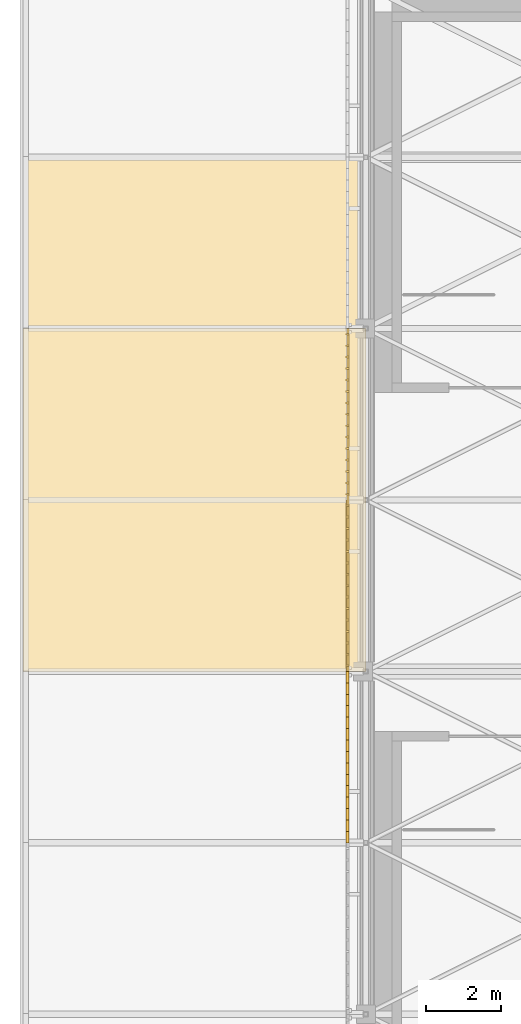
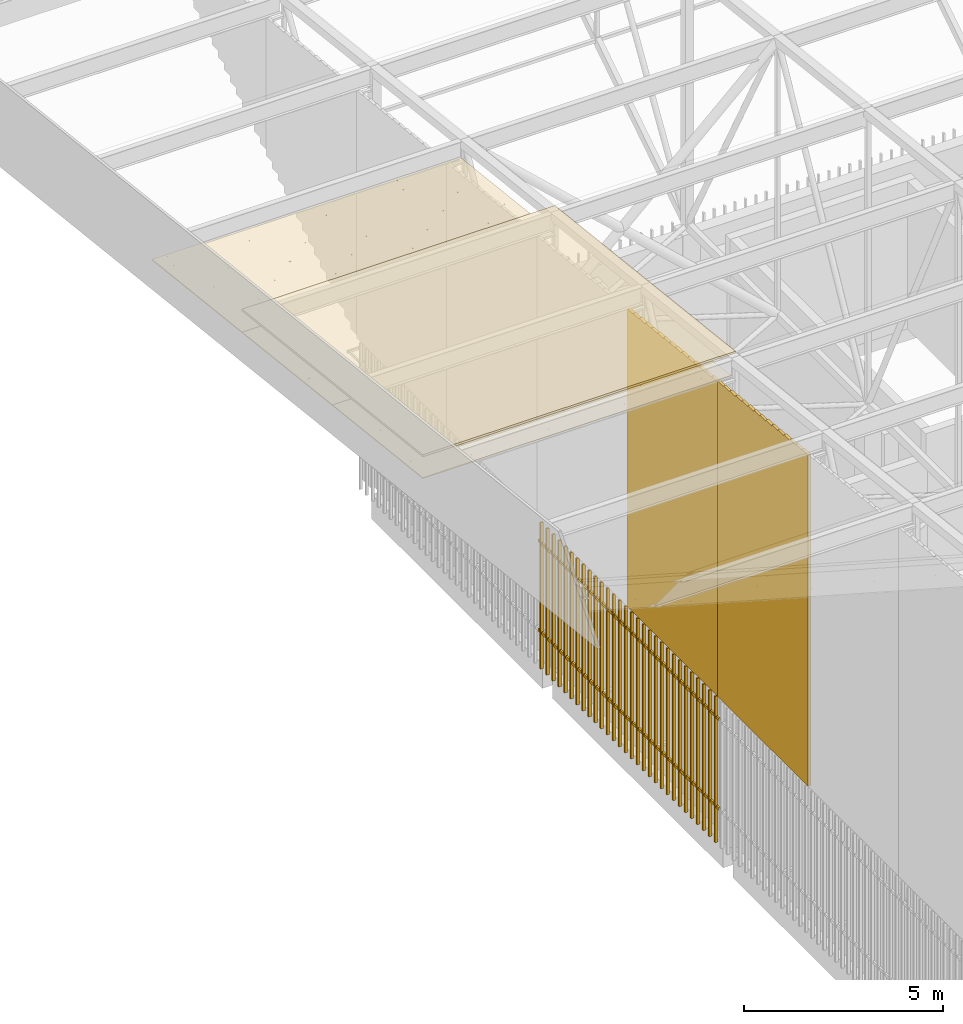
# One storey, part 473 of 500: 4 coverings, 3 shading devices.
"""IFC4 building model written with IfcOpenShell, lengths in metres."""

from ifc_helpers import new_model, si_unit, direction, frame, origin, origin_2d, place, context, subcontext, project, spatial, polyline, rectangle, outline, extrude, material, layer, layer_set, type_object, element, save


model = new_model("IFC4")

# Units and contexts
model_context = context("Model", 3, precision=1e-05, world=origin(), true_north=direction((0.0, 1.0)))
body_context = subcontext(model_context, "Body", "Model", "MODEL_VIEW")
ifc_project = project(units=[si_unit("LENGTHUNIT", "METRE"), si_unit("AREAUNIT", "SQUARE_METRE"), si_unit("VOLUMEUNIT", "CUBIC_METRE"), si_unit("PLANEANGLEUNIT", "RADIAN"), si_unit("MASSUNIT", "GRAM", prefix="KILO")], contexts=[model_context])

# Site, building, storey
site_placement = place(None, origin())
site = spatial("IfcSite", under=ifc_project, at=site_placement, CompositionType="ELEMENT")
building_placement = place(site_placement, origin())
building = spatial("IfcBuilding", under=site, at=building_placement, Name="Shirokan Park Arena", CompositionType="ELEMENT")
storey_placement = place(building_placement, frame((0.0, 0.0, 29.1201171875)))
storey = spatial("IfcBuildingStorey", under=building, at=storey_placement, Name="L06", CompositionType="ELEMENT", Elevation=29.1201171875)

# Coverings
ifc_material_1 = material(Name="Bituminous roofing membrane")
ifc_layer_1 = layer(ifc_material_1, 0.010009765625, Name="Bituminous roofing membrane")
ifc_material_2 = material(Name="Mineral wool insulation")
ifc_layer_2 = layer(ifc_material_2, 0.050048828125, Name="Mineral wool insulation")
ifc_layer_set_1 = layer_set([ifc_layer_1, ifc_layer_2], Name="Bituminous roofing membrane + Mineral wool insulation")
covering_type_1 = type_object("IfcCoveringType", Name="Roofing membrane 60", PredefinedType="ROOFING", material=ifc_layer_set_1)
covering_1_placement = place(storey_placement, frame((-9.10009765625, 91.0, 15.0107421875), z_axis=(0.0, 0.113549598152, 0.993532328996), x_axis=(1.0, 0.0, 0.0)))
element("IfcCovering", 1, at=covering_1_placement, inside=storey, type_object=covering_type_1, Name="Roofing", PredefinedType="ROOFING", context=body_context, shape_type="SweptSolid", body=[
    extrude(outline(polyline([(0.0, 0.0), (9.10009765625, 0.0), (9.10009765625, 9.15933723611117), (0.0, 9.15933723611117), (0.0, 0.0)])), origin(), (0.0, 0.0, -1.0), 0.06005859375),
])
ifc_material_3 = material(Name="Timber soffit boards (cedar)", Category="wood")
ifc_layer_3 = layer(ifc_material_3, 0.030029296875)
ifc_layer_set_2 = layer_set([ifc_layer_3], Name="Timber soffit boards (cedar) 30 mm")
covering_type_2 = type_object("IfcCoveringType", Name="Timber boarded soffit panel", PredefinedType="CLADDING", material=ifc_layer_set_2)
covering_2_placement = place(storey_placement, origin())
element("IfcCovering", 2, at=covering_2_placement, inside=storey, type_object=covering_type_2, Name="Rake soffit west bay 23", PredefinedType="CLADDING", context=body_context, shape_type="SweptSolid", body=[
    extrude(outline(polyline([(0.0, 0.0), (0.11999999999999922, 0.0), (0.11999999999999922, -4.579617887990215), (0.0, -4.579617887990215), (0.0, 0.0)])), frame((-8.97998046875, 91.0, 14.302001953125), z_axis=(0.0, 0.113546591161, 0.993532672656), x_axis=(-1.0, 0.0, 0.0)), (0.0, 0.0, -1.0), 0.030029296875),
    extrude(outline(polyline([(0.0, 0.0), (0.12, 0.0), (0.12, -4.579617887990217), (0.0, -4.579617887990217), (0.0, 0.0)])), frame((-0.2470703125, 95.550048828125, 13.781982421875), z_axis=(0.0, 0.113546591161, 0.993532672656), x_axis=(1.0, 0.0, 0.0)), (0.0, 0.0, -1.0), 0.030029296875),
    extrude(outline(polyline([(0.0, 0.0), (0.12078064455862775, 0.0), (0.12078064455862775, -8.733000000000002), (0.0, -8.733000000000002), (0.0, 0.0)])), frame((-0.2470703125, 95.550048828125, 13.781982421875), z_axis=(0.0, 0.11351156512, 0.993536675007), x_axis=(0.0, -0.993536675007, 0.11351156512)), (0.0, 0.0, -1.0), 0.030029296875),
    extrude(outline(polyline([(0.0, 0.0), (0.12078064455864188, 0.0), (0.12078064455864188, -8.733000000000002), (0.0, -8.733000000000002), (0.0, 0.0)])), frame((-8.97998046875, 91.0, 14.302001953125), z_axis=(0.0, 0.11351156512, 0.993536675007), x_axis=(0.0, 0.993536675007, -0.11351156512)), (0.0, 0.0, -1.0), 0.030029296875),
    extrude(outline(polyline([(0.0, 0.0), (8.733, 0.0), (8.733, -0.18452428160000883), (0.0, -0.18452428160000883), (0.0, 0.0)])), frame((-8.97998046875, 91.30322265625, 14.267333984375), z_axis=(0.0, 0.113589386818, 0.99352778079), x_axis=(1.0, 0.0, 0.0)), (0.0, 0.0, -1.0), 0.030029296875),
    extrude(outline(polyline([(0.0, 0.0), (8.733, 0.0), (8.733, -0.30531372586242256), (0.0, -0.30531372586242256), (0.0, 0.0)])), frame((-8.97998046875, 91.606689453125, 14.232666015625), z_axis=(0.0, 0.113522573877, 0.993535417195), x_axis=(1.0, 0.0, 0.0)), (0.0, 0.0, -1.0), 0.030029296875),
    extrude(outline(polyline([(0.0, 0.0), (8.733, 0.0), (8.733, -0.30530492593471514), (0.0, -0.30530492593471514), (0.0, 0.0)])), frame((-8.97998046875, 91.909912109375, 14.197998046875), z_axis=(0.0, 0.113558600124, 0.99353130013), x_axis=(1.0, 0.0, 0.0)), (0.0, 0.0, -1.0), 0.030029296875),
    extrude(outline(polyline([(0.0, 0.0), (8.733, 0.0), (8.733, -0.30530492593471437), (0.0, -0.30530492593471437), (0.0, 0.0)])), frame((-8.97998046875, 92.21337890625, 14.163330078125), z_axis=(0.0, 0.113558600124, 0.99353130013), x_axis=(1.0, 0.0, 0.0)), (0.0, 0.0, -1.0), 0.030029296875),
    extrude(outline(polyline([(0.0, 0.0), (8.733, 0.0), (8.733, -0.3053137258624375), (0.0, -0.3053137258624375), (0.0, 0.0)])), frame((-8.97998046875, 92.5166015625, 14.128662109375), z_axis=(0.0, 0.113522573877, 0.993535417195), x_axis=(1.0, 0.0, 0.0)), (0.0, 0.0, -1.0), 0.030029296875),
    extrude(outline(polyline([(0.0, 0.0), (8.733, 0.0), (8.733, -0.30530492593470027), (0.0, -0.30530492593470027), (0.0, 0.0)])), frame((-8.97998046875, 92.820068359375, 14.093994140625), z_axis=(0.0, 0.113558600124, 0.99353130013), x_axis=(1.0, 0.0, 0.0)), (0.0, 0.0, -1.0), 0.030029296875),
    extrude(outline(polyline([(0.0, 0.0), (8.733, 0.0), (8.733, -0.30530492593471437), (0.0, -0.30530492593471437), (0.0, 0.0)])), frame((-8.97998046875, 93.123291015625, 14.059326171875), z_axis=(0.0, 0.113558600124, 0.99353130013), x_axis=(1.0, 0.0, 0.0)), (0.0, 0.0, -1.0), 0.030029296875),
    extrude(outline(polyline([(0.0, 0.0), (8.733, 0.0), (8.733, -0.3053137258624375), (0.0, -0.3053137258624375), (0.0, 0.0)])), frame((-8.97998046875, 93.4267578125, 14.024658203125), z_axis=(0.0, 0.113522573877, 0.993535417195), x_axis=(1.0, 0.0, 0.0)), (0.0, 0.0, -1.0), 0.030029296875),
    extrude(outline(polyline([(0.0, 0.0), (8.733, 0.0), (8.733, -0.30530492593471437), (0.0, -0.30530492593471437), (0.0, 0.0)])), frame((-8.97998046875, 93.72998046875, 13.989990234375), z_axis=(0.0, 0.113558600124, 0.99353130013), x_axis=(1.0, 0.0, 0.0)), (0.0, 0.0, -1.0), 0.030029296875),
    extrude(outline(polyline([(0.0, 0.0), (8.733, 0.0), (8.733, -0.30530492593471437), (0.0, -0.30530492593471437), (0.0, 0.0)])), frame((-8.97998046875, 94.033447265625, 13.955322265625), z_axis=(0.0, 0.113558600124, 0.99353130013), x_axis=(1.0, 0.0, 0.0)), (0.0, 0.0, -1.0), 0.030029296875),
    extrude(outline(polyline([(0.0, 0.0), (8.733, 0.0), (8.733, -0.3053137258624234), (0.0, -0.3053137258624234), (0.0, 0.0)])), frame((-8.97998046875, 94.336669921875, 13.920654296875), z_axis=(0.0, 0.113522573877, 0.993535417195), x_axis=(1.0, 0.0, 0.0)), (0.0, 0.0, -1.0), 0.030029296875),
    extrude(outline(polyline([(0.0, 0.0), (8.733, 0.0), (8.733, -0.30530492593471437), (0.0, -0.30530492593471437), (0.0, 0.0)])), frame((-8.97998046875, 94.639892578125, 13.885986328125), z_axis=(0.0, 0.113558600124, 0.99353130013), x_axis=(1.0, 0.0, 0.0)), (0.0, 0.0, -1.0), 0.030029296875),
    extrude(outline(polyline([(0.0, 0.0), (8.733, 0.0), (8.733, -0.30530492593471437), (0.0, -0.30530492593471437), (0.0, 0.0)])), frame((-8.97998046875, 94.943359375, 13.851318359375), z_axis=(0.0, 0.113558600124, 0.99353130013), x_axis=(1.0, 0.0, 0.0)), (0.0, 0.0, -1.0), 0.030029296875),
    extrude(outline(polyline([(0.0, 0.0), (8.733, 0.0), (8.733, -0.30531372586242334), (0.0, -0.30531372586242334), (0.0, 0.0)])), frame((-8.97998046875, 95.24658203125, 13.816650390625), z_axis=(0.0, 0.113522573877, 0.993535417195), x_axis=(1.0, 0.0, 0.0)), (0.0, 0.0, -1.0), 0.030029296875),
    extrude(outline(polyline([(0.0, 0.0), (8.733, 0.0), (8.733, -0.18452428160002296), (0.0, -0.18452428160002296), (0.0, 0.0)])), frame((-8.97998046875, 95.429931640625, 13.795654296875), z_axis=(0.0, 0.113589386818, 0.99352778079), x_axis=(1.0, 0.0, 0.0)), (0.0, 0.0, -1.0), 0.030029296875),
])
covering_3_placement = place(storey_placement, origin())
element("IfcCovering", 3, at=covering_3_placement, inside=storey, type_object=covering_type_2, Name="Rake soffit west bay 24", PredefinedType="CLADDING", context=body_context, shape_type="SweptSolid", body=[
    extrude(outline(polyline([(0.0, 0.0), (0.11999999999999922, 0.0), (0.11999999999999922, -4.579617887990217), (0.0, -4.579617887990217), (0.0, 0.0)])), frame((-8.97998046875, 95.550048828125, 13.781982421875), z_axis=(0.0, 0.113546591161, 0.993532672656), x_axis=(-1.0, 0.0, 0.0)), (0.0, 0.0, -1.0), 0.030029296875),
    extrude(outline(polyline([(0.0, 0.0), (0.12, 0.0), (0.12, -4.579617887990218), (0.0, -4.579617887990218), (0.0, 0.0)])), frame((-0.2470703125, 100.10009765625, 13.261962890625), z_axis=(0.0, 0.113546591161, 0.993532672656), x_axis=(1.0, 0.0, 0.0)), (0.0, 0.0, -1.0), 0.030029296875),
    extrude(outline(polyline([(0.0, 0.0), (0.12078064455862857, 0.0), (0.12078064455862857, -8.733000000000002), (0.0, -8.733000000000002), (0.0, 0.0)])), frame((-0.2470703125, 100.10009765625, 13.261962890625), z_axis=(0.0, 0.11351156512, 0.993536675007), x_axis=(0.0, -0.993536675007, 0.11351156512)), (0.0, 0.0, -1.0), 0.030029296875),
    extrude(outline(polyline([(0.0, 0.0), (0.12078064455864268, 0.0), (0.12078064455864268, -8.733000000000002), (0.0, -8.733000000000002), (0.0, 0.0)])), frame((-8.97998046875, 95.550048828125, 13.781982421875), z_axis=(0.0, 0.11351156512, 0.993536675007), x_axis=(0.0, 0.993536675007, -0.11351156512)), (0.0, 0.0, -1.0), 0.030029296875),
    extrude(outline(polyline([(0.0, 0.0), (8.733, 0.0), (8.733, -0.18452428160000803), (0.0, -0.18452428160000803), (0.0, 0.0)])), frame((-8.97998046875, 95.853271484375, 13.747314453125), z_axis=(0.0, 0.113589386818, 0.99352778079), x_axis=(1.0, 0.0, 0.0)), (0.0, 0.0, -1.0), 0.030029296875),
    extrude(outline(polyline([(0.0, 0.0), (8.733, 0.0), (8.733, -0.3053137258624375), (0.0, -0.3053137258624375), (0.0, 0.0)])), frame((-8.97998046875, 96.15673828125, 13.712646484375), z_axis=(0.0, 0.113522573877, 0.993535417195), x_axis=(1.0, 0.0, 0.0)), (0.0, 0.0, -1.0), 0.030029296875),
    extrude(outline(polyline([(0.0, 0.0), (8.733, 0.0), (8.733, -0.30530492593470027), (0.0, -0.30530492593470027), (0.0, 0.0)])), frame((-8.97998046875, 96.4599609375, 13.677978515625), z_axis=(0.0, 0.113558600124, 0.99353130013), x_axis=(1.0, 0.0, 0.0)), (0.0, 0.0, -1.0), 0.030029296875),
    extrude(outline(polyline([(0.0, 0.0), (8.733, 0.0), (8.733, -0.30530492593471437), (0.0, -0.30530492593471437), (0.0, 0.0)])), frame((-8.97998046875, 96.763427734375, 13.643310546875), z_axis=(0.0, 0.113558600124, 0.99353130013), x_axis=(1.0, 0.0, 0.0)), (0.0, 0.0, -1.0), 0.030029296875),
    extrude(outline(polyline([(0.0, 0.0), (8.733, 0.0), (8.733, -0.3053137258624375), (0.0, -0.3053137258624375), (0.0, 0.0)])), frame((-8.97998046875, 97.066650390625, 13.608642578125), z_axis=(0.0, 0.113522573877, 0.993535417195), x_axis=(1.0, 0.0, 0.0)), (0.0, 0.0, -1.0), 0.030029296875),
    extrude(outline(polyline([(0.0, 0.0), (8.733, 0.0), (8.733, -0.30530492593471437), (0.0, -0.30530492593471437), (0.0, 0.0)])), frame((-8.97998046875, 97.3701171875, 13.573974609375), z_axis=(0.0, 0.113558600124, 0.99353130013), x_axis=(1.0, 0.0, 0.0)), (0.0, 0.0, -1.0), 0.030029296875),
    extrude(outline(polyline([(0.0, 0.0), (8.733, 0.0), (8.733, -0.30530492593471514), (0.0, -0.30530492593471514), (0.0, 0.0)])), frame((-8.97998046875, 97.67333984375, 13.539306640625), z_axis=(0.0, 0.113558600124, 0.99353130013), x_axis=(1.0, 0.0, 0.0)), (0.0, 0.0, -1.0), 0.030029296875),
    extrude(outline(polyline([(0.0, 0.0), (8.733, 0.0), (8.733, -0.30531372586242256), (0.0, -0.30531372586242256), (0.0, 0.0)])), frame((-8.97998046875, 97.9765625, 13.504638671875), z_axis=(0.0, 0.113522573877, 0.993535417195), x_axis=(1.0, 0.0, 0.0)), (0.0, 0.0, -1.0), 0.030029296875),
    extrude(outline(polyline([(0.0, 0.0), (8.733, 0.0), (8.733, -0.30530492593471437), (0.0, -0.30530492593471437), (0.0, 0.0)])), frame((-8.97998046875, 98.280029296875, 13.469970703125), z_axis=(0.0, 0.113558600124, 0.99353130013), x_axis=(1.0, 0.0, 0.0)), (0.0, 0.0, -1.0), 0.030029296875),
    extrude(outline(polyline([(0.0, 0.0), (8.733, 0.0), (8.733, -0.30530492593471514), (0.0, -0.30530492593471514), (0.0, 0.0)])), frame((-8.97998046875, 98.583251953125, 13.435302734375), z_axis=(0.0, 0.113558600124, 0.99353130013), x_axis=(1.0, 0.0, 0.0)), (0.0, 0.0, -1.0), 0.030029296875),
    extrude(outline(polyline([(0.0, 0.0), (8.733, 0.0), (8.733, -0.30531372586242256), (0.0, -0.30531372586242256), (0.0, 0.0)])), frame((-8.97998046875, 98.88671875, 13.400634765625), z_axis=(0.0, 0.113522573877, 0.993535417195), x_axis=(1.0, 0.0, 0.0)), (0.0, 0.0, -1.0), 0.030029296875),
    extrude(outline(polyline([(0.0, 0.0), (8.733, 0.0), (8.733, -0.30530492593471514), (0.0, -0.30530492593471514), (0.0, 0.0)])), frame((-8.97998046875, 99.18994140625, 13.365966796875), z_axis=(0.0, 0.113558600124, 0.99353130013), x_axis=(1.0, 0.0, 0.0)), (0.0, 0.0, -1.0), 0.030029296875),
    extrude(outline(polyline([(0.0, 0.0), (8.733, 0.0), (8.733, -0.30530492593471437), (0.0, -0.30530492593471437), (0.0, 0.0)])), frame((-8.97998046875, 99.493408203125, 13.331298828125), z_axis=(0.0, 0.113558600124, 0.99353130013), x_axis=(1.0, 0.0, 0.0)), (0.0, 0.0, -1.0), 0.030029296875),
    extrude(outline(polyline([(0.0, 0.0), (8.733, 0.0), (8.733, -0.30531372586243666), (0.0, -0.30531372586243666), (0.0, 0.0)])), frame((-8.97998046875, 99.796630859375, 13.296630859375), z_axis=(0.0, 0.113522573877, 0.993535417195), x_axis=(1.0, 0.0, 0.0)), (0.0, 0.0, -1.0), 0.030029296875),
    extrude(outline(polyline([(0.0, 0.0), (8.733, 0.0), (8.733, -0.18452428160000883), (0.0, -0.18452428160000883), (0.0, 0.0)])), frame((-8.97998046875, 99.97998046875, 13.275634765625), z_axis=(0.0, 0.113589386818, 0.99352778079), x_axis=(1.0, 0.0, 0.0)), (0.0, 0.0, -1.0), 0.030029296875),
])
covering_4_placement = place(storey_placement, origin())
element("IfcCovering", 4, at=covering_4_placement, inside=storey, type_object=covering_type_2, Name="Rake soffit west bay 25", PredefinedType="CLADDING", context=body_context, shape_type="SweptSolid", body=[
    extrude(outline(polyline([(0.0, 0.0), (0.11999999999999922, 0.0), (0.11999999999999922, -4.5796178879902305), (0.0, -4.5796178879902305), (0.0, 0.0)])), frame((-8.97998046875, 100.10009765625, 13.261962890625), z_axis=(0.0, 0.113546591161, 0.993532672656), x_axis=(-1.0, 0.0, 0.0)), (0.0, 0.0, -1.0), 0.030029296875),
    extrude(outline(polyline([(0.0, 0.0), (0.12, 0.0), (0.12, -4.5796178879902305), (0.0, -4.5796178879902305), (0.0, 0.0)])), frame((-0.2470703125, 104.64990234375, 12.741943359375), z_axis=(0.0, 0.113546591161, 0.993532672656), x_axis=(1.0, 0.0, 0.0)), (0.0, 0.0, -1.0), 0.030029296875),
    extrude(outline(polyline([(0.0, 0.0), (0.12078064455864186, 0.0), (0.12078064455864186, -8.733), (0.0, -8.733), (0.0, 0.0)])), frame((-0.2470703125, 104.64990234375, 12.741943359375), z_axis=(0.0, 0.11351156512, 0.993536675007), x_axis=(0.0, -0.993536675007, 0.11351156512)), (0.0, 0.0, -1.0), 0.030029296875),
    extrude(outline(polyline([(0.0, 0.0), (0.12078064455864188, 0.0), (0.12078064455864188, -8.733000000000002), (0.0, -8.733000000000002), (0.0, 0.0)])), frame((-8.97998046875, 100.10009765625, 13.261962890625), z_axis=(0.0, 0.11351156512, 0.993536675007), x_axis=(0.0, 0.993536675007, -0.11351156512)), (0.0, 0.0, -1.0), 0.030029296875),
    extrude(outline(polyline([(0.0, 0.0), (8.733, 0.0), (8.733, -0.18452428160000883), (0.0, -0.18452428160000883), (0.0, 0.0)])), frame((-8.97998046875, 100.4033203125, 13.227294921875), z_axis=(0.0, 0.113589386818, 0.99352778079), x_axis=(1.0, 0.0, 0.0)), (0.0, 0.0, -1.0), 0.030029296875),
    extrude(outline(polyline([(0.0, 0.0), (8.733, 0.0), (8.733, -0.3053137258624375), (0.0, -0.3053137258624375), (0.0, 0.0)])), frame((-8.97998046875, 100.706787109375, 13.192626953125), z_axis=(0.0, 0.113522573877, 0.993535417195), x_axis=(1.0, 0.0, 0.0)), (0.0, 0.0, -1.0), 0.030029296875),
    extrude(outline(polyline([(0.0, 0.0), (8.733, 0.0), (8.733, -0.30530492593471437), (0.0, -0.30530492593471437), (0.0, 0.0)])), frame((-8.97998046875, 101.010009765625, 13.157958984375), z_axis=(0.0, 0.113558600124, 0.99353130013), x_axis=(1.0, 0.0, 0.0)), (0.0, 0.0, -1.0), 0.030029296875),
    extrude(outline(polyline([(0.0, 0.0), (8.733, 0.0), (8.733, -0.3053049259347002), (0.0, -0.3053049259347002), (0.0, 0.0)])), frame((-8.97998046875, 101.313232421875, 13.123291015625), z_axis=(0.0, 0.113558600124, 0.99353130013), x_axis=(1.0, 0.0, 0.0)), (0.0, 0.0, -1.0), 0.030029296875),
    extrude(outline(polyline([(0.0, 0.0), (8.733, 0.0), (8.733, -0.3053137258624375), (0.0, -0.3053137258624375), (0.0, 0.0)])), frame((-8.97998046875, 101.61669921875, 13.088623046875), z_axis=(0.0, 0.113522573877, 0.993535417195), x_axis=(1.0, 0.0, 0.0)), (0.0, 0.0, -1.0), 0.030029296875),
    extrude(outline(polyline([(0.0, 0.0), (8.733, 0.0), (8.733, -0.30530492593471437), (0.0, -0.30530492593471437), (0.0, 0.0)])), frame((-8.97998046875, 101.919921875, 13.053955078125), z_axis=(0.0, 0.113558600124, 0.99353130013), x_axis=(1.0, 0.0, 0.0)), (0.0, 0.0, -1.0), 0.030029296875),
    extrude(outline(polyline([(0.0, 0.0), (8.733, 0.0), (8.733, -0.30530492593471437), (0.0, -0.30530492593471437), (0.0, 0.0)])), frame((-8.97998046875, 102.223388671875, 13.019287109375), z_axis=(0.0, 0.113558600124, 0.99353130013), x_axis=(1.0, 0.0, 0.0)), (0.0, 0.0, -1.0), 0.030029296875),
    extrude(outline(polyline([(0.0, 0.0), (8.733, 0.0), (8.733, -0.30531372586242334), (0.0, -0.30531372586242334), (0.0, 0.0)])), frame((-8.97998046875, 102.526611328125, 12.984619140625), z_axis=(0.0, 0.113522573877, 0.993535417195), x_axis=(1.0, 0.0, 0.0)), (0.0, 0.0, -1.0), 0.030029296875),
    extrude(outline(polyline([(0.0, 0.0), (8.733, 0.0), (8.733, -0.30530492593471437), (0.0, -0.30530492593471437), (0.0, 0.0)])), frame((-8.97998046875, 102.830078125, 12.949951171875), z_axis=(0.0, 0.113558600124, 0.99353130013), x_axis=(1.0, 0.0, 0.0)), (0.0, 0.0, -1.0), 0.030029296875),
    extrude(outline(polyline([(0.0, 0.0), (8.733, 0.0), (8.733, -0.30530492593471437), (0.0, -0.30530492593471437), (0.0, 0.0)])), frame((-8.97998046875, 103.13330078125, 12.915283203125), z_axis=(0.0, 0.113558600124, 0.99353130013), x_axis=(1.0, 0.0, 0.0)), (0.0, 0.0, -1.0), 0.030029296875),
    extrude(outline(polyline([(0.0, 0.0), (8.733, 0.0), (8.733, -0.3053137258624375), (0.0, -0.3053137258624375), (0.0, 0.0)])), frame((-8.97998046875, 103.436767578125, 12.880615234375), z_axis=(0.0, 0.113522573877, 0.993535417195), x_axis=(1.0, 0.0, 0.0)), (0.0, 0.0, -1.0), 0.030029296875),
    extrude(outline(polyline([(0.0, 0.0), (8.733, 0.0), (8.733, -0.30530492593470027), (0.0, -0.30530492593470027), (0.0, 0.0)])), frame((-8.97998046875, 103.739990234375, 12.845947265625), z_axis=(0.0, 0.113558600124, 0.99353130013), x_axis=(1.0, 0.0, 0.0)), (0.0, 0.0, -1.0), 0.030029296875),
    extrude(outline(polyline([(0.0, 0.0), (8.733, 0.0), (8.733, -0.30530492593471437), (0.0, -0.30530492593471437), (0.0, 0.0)])), frame((-8.97998046875, 104.043212890625, 12.811279296875), z_axis=(0.0, 0.113558600124, 0.99353130013), x_axis=(1.0, 0.0, 0.0)), (0.0, 0.0, -1.0), 0.030029296875),
    extrude(outline(polyline([(0.0, 0.0), (8.733, 0.0), (8.733, -0.3053137258624375), (0.0, -0.3053137258624375), (0.0, 0.0)])), frame((-8.97998046875, 104.3466796875, 12.776611328125), z_axis=(0.0, 0.113522573877, 0.993535417195), x_axis=(1.0, 0.0, 0.0)), (0.0, 0.0, -1.0), 0.030029296875),
    extrude(outline(polyline([(0.0, 0.0), (8.733, 0.0), (8.733, -0.18452428160000883), (0.0, -0.18452428160000883), (0.0, 0.0)])), frame((-8.97998046875, 104.530029296875, 12.755615234375), z_axis=(0.0, 0.113589386818, 0.99352778079), x_axis=(1.0, 0.0, 0.0)), (0.0, 0.0, -1.0), 0.030029296875),
])

# Shading devices
ifc_material_4 = material(Name="Timber louvre veil (cedar)", Category="wood")
shading_device_type_1 = type_object("IfcShadingDeviceType", Name="Timber louvre veil panel", PredefinedType="JALOUSIE", material=ifc_material_4)
shading_device_1_placement = place(storey_placement, origin())
element("IfcShadingDevice", 5, at=shading_device_1_placement, inside=storey, type_object=shading_device_type_1, Name="Timber louvre veil west bay 2 L06", PredefinedType="JALOUSIE", context=body_context, shape_type="SweptSolid", body=[
    extrude(rectangle(XDim=0.050048828125, YDim=0.080078125, at=origin_2d()), frame((-0.485107421875, 99.9482421875, 0.0), z_axis=(0.0, 0.0, 1.0), x_axis=(0.0, -1.0, 0.0)), (0.0, 0.0, 1.0), 4.5),
    extrude(rectangle(XDim=0.050048828125, YDim=0.080078125, at=origin_2d()), frame((-0.485107421875, 99.64501953125, 0.0), z_axis=(0.0, 0.0, 1.0), x_axis=(0.0, -1.0, 0.0)), (0.0, 0.0, 1.0), 4.5),
    extrude(rectangle(XDim=0.050048828125, YDim=0.080078125, at=origin_2d()), frame((-0.485107421875, 99.341552734375, 0.0), z_axis=(0.0, 0.0, 1.0), x_axis=(0.0, -1.0, 0.0)), (0.0, 0.0, 1.0), 4.5),
    extrude(rectangle(XDim=0.050048828125, YDim=0.080078125, at=origin_2d()), frame((-0.485107421875, 99.038330078125, 0.0), z_axis=(0.0, 0.0, 1.0), x_axis=(0.0, -1.0, 0.0)), (0.0, 0.0, 1.0), 4.5),
    extrude(rectangle(XDim=0.050048828125, YDim=0.080078125, at=origin_2d()), frame((-0.485107421875, 98.735107421875, 0.0), z_axis=(0.0, 0.0, 1.0), x_axis=(0.0, -1.0, 0.0)), (0.0, 0.0, 1.0), 4.5),
    extrude(rectangle(XDim=0.050048828125, YDim=0.080078125, at=origin_2d()), frame((-0.485107421875, 98.431640625, 0.0), z_axis=(0.0, 0.0, 1.0), x_axis=(0.0, -1.0, 0.0)), (0.0, 0.0, 1.0), 4.5),
    extrude(rectangle(XDim=0.050048828125, YDim=0.080078125, at=origin_2d()), frame((-0.485107421875, 98.12841796875, 0.0), z_axis=(0.0, 0.0, 1.0), x_axis=(0.0, -1.0, 0.0)), (0.0, 0.0, 1.0), 4.5),
    extrude(rectangle(XDim=0.050048828125, YDim=0.080078125, at=origin_2d()), frame((-0.485107421875, 97.824951171875, 0.0), z_axis=(0.0, 0.0, 1.0), x_axis=(0.0, -1.0, 0.0)), (0.0, 0.0, 1.0), 4.5),
    extrude(rectangle(XDim=0.050048828125, YDim=0.080078125, at=origin_2d()), frame((-0.485107421875, 97.521728515625, 0.0), z_axis=(0.0, 0.0, 1.0), x_axis=(0.0, -1.0, 0.0)), (0.0, 0.0, 1.0), 4.5),
    extrude(rectangle(XDim=0.050048828125, YDim=0.080078125, at=origin_2d()), frame((-0.485107421875, 97.21826171875, 0.0), z_axis=(0.0, 0.0, 1.0), x_axis=(0.0, -1.0, 0.0)), (0.0, 0.0, 1.0), 4.5),
    extrude(rectangle(XDim=0.050048828125, YDim=0.080078125, at=origin_2d()), frame((-0.485107421875, 96.9150390625, 0.0), z_axis=(0.0, 0.0, 1.0), x_axis=(0.0, -1.0, 0.0)), (0.0, 0.0, 1.0), 4.5),
    extrude(rectangle(XDim=0.050048828125, YDim=0.080078125, at=origin_2d()), frame((-0.485107421875, 96.611572265625, 0.0), z_axis=(0.0, 0.0, 1.0), x_axis=(0.0, -1.0, 0.0)), (0.0, 0.0, 1.0), 4.5),
    extrude(rectangle(XDim=0.050048828125, YDim=0.080078125, at=origin_2d()), frame((-0.485107421875, 96.308349609375, 0.0), z_axis=(0.0, 0.0, 1.0), x_axis=(0.0, -1.0, 0.0)), (0.0, 0.0, 1.0), 4.5),
    extrude(rectangle(XDim=0.050048828125, YDim=0.080078125, at=origin_2d()), frame((-0.485107421875, 96.0048828125, 0.0), z_axis=(0.0, 0.0, 1.0), x_axis=(0.0, -1.0, 0.0)), (0.0, 0.0, 1.0), 4.5),
    extrude(rectangle(XDim=0.050048828125, YDim=0.080078125, at=origin_2d()), frame((-0.485107421875, 95.70166015625, 0.0), z_axis=(0.0, 0.0, 1.0), x_axis=(0.0, -1.0, 0.0)), (0.0, 0.0, 1.0), 4.5),
    extrude(rectangle(XDim=0.050048828125, YDim=0.080078125, at=origin_2d()), frame((-0.485107421875, 95.3984375, 0.0), z_axis=(0.0, 0.0, 1.0), x_axis=(0.0, -1.0, 0.0)), (0.0, 0.0, 1.0), 4.5),
    extrude(rectangle(XDim=0.050048828125, YDim=0.080078125, at=origin_2d()), frame((-0.485107421875, 95.094970703125, 0.0), z_axis=(0.0, 0.0, 1.0), x_axis=(0.0, -1.0, 0.0)), (0.0, 0.0, 1.0), 4.5),
    extrude(rectangle(XDim=0.050048828125, YDim=0.080078125, at=origin_2d()), frame((-0.485107421875, 94.791748046875, 0.0), z_axis=(0.0, 0.0, 1.0), x_axis=(0.0, -1.0, 0.0)), (0.0, 0.0, 1.0), 4.5),
    extrude(rectangle(XDim=0.050048828125, YDim=0.080078125, at=origin_2d()), frame((-0.485107421875, 94.48828125, 0.0), z_axis=(0.0, 0.0, 1.0), x_axis=(0.0, -1.0, 0.0)), (0.0, 0.0, 1.0), 4.5),
    extrude(rectangle(XDim=0.050048828125, YDim=0.080078125, at=origin_2d()), frame((-0.485107421875, 94.18505859375, 0.0), z_axis=(0.0, 0.0, 1.0), x_axis=(0.0, -1.0, 0.0)), (0.0, 0.0, 1.0), 4.5),
    extrude(rectangle(XDim=0.050048828125, YDim=0.080078125, at=origin_2d()), frame((-0.485107421875, 93.881591796875, 0.0), z_axis=(0.0, 0.0, 1.0), x_axis=(0.0, -1.0, 0.0)), (0.0, 0.0, 1.0), 4.5),
    extrude(rectangle(XDim=0.050048828125, YDim=0.080078125, at=origin_2d()), frame((-0.485107421875, 93.578369140625, 0.0), z_axis=(0.0, 0.0, 1.0), x_axis=(0.0, -1.0, 0.0)), (0.0, 0.0, 1.0), 4.5),
    extrude(rectangle(XDim=0.050048828125, YDim=0.080078125, at=origin_2d()), frame((-0.485107421875, 93.27490234375, 0.0), z_axis=(0.0, 0.0, 1.0), x_axis=(0.0, -1.0, 0.0)), (0.0, 0.0, 1.0), 4.5),
    extrude(rectangle(XDim=0.050048828125, YDim=0.080078125, at=origin_2d()), frame((-0.485107421875, 92.9716796875, 0.0), z_axis=(0.0, 0.0, 1.0), x_axis=(0.0, -1.0, 0.0)), (0.0, 0.0, 1.0), 4.5),
    extrude(rectangle(XDim=0.050048828125, YDim=0.080078125, at=origin_2d()), frame((-0.485107421875, 92.668212890625, 0.0), z_axis=(0.0, 0.0, 1.0), x_axis=(0.0, -1.0, 0.0)), (0.0, 0.0, 1.0), 4.5),
    extrude(rectangle(XDim=0.050048828125, YDim=0.080078125, at=origin_2d()), frame((-0.485107421875, 92.364990234375, 0.0), z_axis=(0.0, 0.0, 1.0), x_axis=(0.0, -1.0, 0.0)), (0.0, 0.0, 1.0), 4.5),
    extrude(rectangle(XDim=0.050048828125, YDim=0.080078125, at=origin_2d()), frame((-0.485107421875, 92.061767578125, 0.0), z_axis=(0.0, 0.0, 1.0), x_axis=(0.0, -1.0, 0.0)), (0.0, 0.0, 1.0), 4.5),
    extrude(rectangle(XDim=0.050048828125, YDim=0.080078125, at=origin_2d()), frame((-0.485107421875, 91.75830078125, 0.0), z_axis=(0.0, 0.0, 1.0), x_axis=(0.0, -1.0, 0.0)), (0.0, 0.0, 1.0), 4.5),
    extrude(rectangle(XDim=0.050048828125, YDim=0.080078125, at=origin_2d()), frame((-0.485107421875, 91.455078125, 0.0), z_axis=(0.0, 0.0, 1.0), x_axis=(0.0, -1.0, 0.0)), (0.0, 0.0, 1.0), 4.5),
    extrude(rectangle(XDim=0.050048828125, YDim=0.080078125, at=origin_2d()), frame((-0.485107421875, 91.151611328125, 0.0), z_axis=(0.0, 0.0, 1.0), x_axis=(0.0, -1.0, 0.0)), (0.0, 0.0, 1.0), 4.5),
    extrude(rectangle(XDim=9.10009765625, YDim=0.050048828125, at=origin_2d()), frame((-0.469970703125, 95.550048828125, 1.059814453125), z_axis=(0.0, 0.0, 1.0), x_axis=(0.0, -1.0, 0.0)), (0.0, 0.0, 1.0), 0.080078125),
    extrude(rectangle(XDim=9.10009765625, YDim=0.050048828125, at=origin_2d()), frame((-0.469970703125, 95.550048828125, 3.809814453125), z_axis=(0.0, 0.0, 1.0), x_axis=(0.0, -1.0, 0.0)), (0.0, 0.0, 1.0), 0.080078125),
])
shading_device_type_2 = type_object("IfcShadingDeviceType", Name="Timber louvre veil panel, gable band, closed", PredefinedType="JALOUSIE", material=ifc_material_4)
shading_device_2_placement = place(storey_placement, origin())
element("IfcShadingDevice", 6, at=shading_device_2_placement, inside=storey, type_object=shading_device_type_2, Name="Timber louvre veil gable band west bay 22", PredefinedType="JALOUSIE", context=body_context, shape_type="SweptSolid", body=[
    extrude(outline(polyline([(91.0, 4.575927734375), (91.0, 14.27197265625), (90.69677734375, 14.27197265625), (90.69677734375, 14.306640625), (90.393310546875, 14.306640625), (90.393310546875, 14.34130859375), (90.090087890625, 14.34130859375), (90.090087890625, 14.3759765625), (89.78662109375, 14.3759765625), (89.78662109375, 14.41064453125), (89.4833984375, 14.41064453125), (89.4833984375, 14.4453125), (89.179931640625, 14.4453125), (89.179931640625, 14.47998046875), (88.876708984375, 14.47998046875), (88.876708984375, 14.5146484375), (88.5732421875, 14.5146484375), (88.5732421875, 14.54931640625), (88.27001953125, 14.54931640625), (88.27001953125, 14.583984375), (87.966552734375, 14.583984375), (87.966552734375, 14.61865234375), (87.663330078125, 14.61865234375), (87.663330078125, 14.6533203125), (87.360107421875, 14.6533203125), (87.360107421875, 14.68798828125), (87.056640625, 14.68798828125), (87.056640625, 14.72265625), (86.75341796875, 14.72265625), (86.75341796875, 14.75732421875), (86.449951171875, 14.75732421875), (86.449951171875, 4.575927734375), (91.0, 4.575927734375)])), frame((-0.525146484375, 0.0, 0.0), z_axis=(1.0, 0.0, 0.0), x_axis=(0.0, 1.0, 0.0)), (0.0, 0.0, 1.0), 0.080078125),
    extrude(rectangle(XDim=0.050048828125, YDim=4.550048828125, at=origin_2d()), frame((-0.469970703125, 88.72509765625, 4.98583984375), z_axis=(0.0, 0.0, 1.0), x_axis=(1.0, 0.0, 0.0)), (0.0, 0.0, 1.0), 0.080078125),
    extrude(rectangle(XDim=0.050048828125, YDim=4.550048828125, at=origin_2d()), frame((-0.469970703125, 88.72509765625, 9.3837890625), z_axis=(0.0, 0.0, 1.0), x_axis=(1.0, 0.0, 0.0)), (0.0, 0.0, 1.0), 0.080078125),
    extrude(rectangle(XDim=0.050048828125, YDim=4.550048828125, at=origin_2d()), frame((-0.469970703125, 88.72509765625, 14.1318359375), z_axis=(0.0, 0.0, 1.0), x_axis=(1.0, 0.0, 0.0)), (0.0, 0.0, 1.0), 0.080078125),
])
shading_device_3_placement = place(storey_placement, origin())
element("IfcShadingDevice", 7, at=shading_device_3_placement, inside=storey, type_object=shading_device_type_2, Name="Timber louvre veil gable band west bay 23", PredefinedType="JALOUSIE", context=body_context, shape_type="SweptSolid", body=[
    extrude(outline(polyline([(95.550048828125, 4.575927734375), (95.550048828125, 13.751953125), (95.24658203125, 13.751953125), (95.24658203125, 13.78662109375), (94.943359375, 13.78662109375), (94.943359375, 13.8212890625), (94.639892578125, 13.8212890625), (94.639892578125, 13.85595703125), (94.336669921875, 13.85595703125), (94.336669921875, 13.890625), (94.033447265625, 13.890625), (94.033447265625, 13.92529296875), (93.72998046875, 13.92529296875), (93.72998046875, 13.9599609375), (93.4267578125, 13.9599609375), (93.4267578125, 13.99462890625), (93.123291015625, 13.99462890625), (93.123291015625, 14.029296875), (92.820068359375, 14.029296875), (92.820068359375, 14.06396484375), (92.5166015625, 14.06396484375), (92.5166015625, 14.0986328125), (92.21337890625, 14.0986328125), (92.21337890625, 14.13330078125), (91.909912109375, 14.13330078125), (91.909912109375, 14.16796875), (91.606689453125, 14.16796875), (91.606689453125, 14.20263671875), (91.30322265625, 14.20263671875), (91.30322265625, 14.2373046875), (91.0, 14.2373046875), (91.0, 4.575927734375), (95.550048828125, 4.575927734375)])), frame((-0.525146484375, 0.0, 0.0), z_axis=(1.0, 0.0, 0.0), x_axis=(0.0, 1.0, 0.0)), (0.0, 0.0, 1.0), 0.080078125),
    extrude(rectangle(XDim=0.050048828125, YDim=4.550048828125, at=origin_2d()), frame((-0.469970703125, 93.27490234375, 4.98583984375), z_axis=(0.0, 0.0, 1.0), x_axis=(1.0, 0.0, 0.0)), (0.0, 0.0, 1.0), 0.080078125),
    extrude(rectangle(XDim=0.050048828125, YDim=4.550048828125, at=origin_2d()), frame((-0.469970703125, 93.27490234375, 9.123779296875), z_axis=(0.0, 0.0, 1.0), x_axis=(1.0, 0.0, 0.0)), (0.0, 0.0, 1.0), 0.080078125),
    extrude(rectangle(XDim=0.050048828125, YDim=4.550048828125, at=origin_2d()), frame((-0.469970703125, 93.27490234375, 13.61181640625), z_axis=(0.0, 0.0, 1.0), x_axis=(1.0, 0.0, 0.0)), (0.0, 0.0, 1.0), 0.080078125),
])

save(model, "model.ifc")
